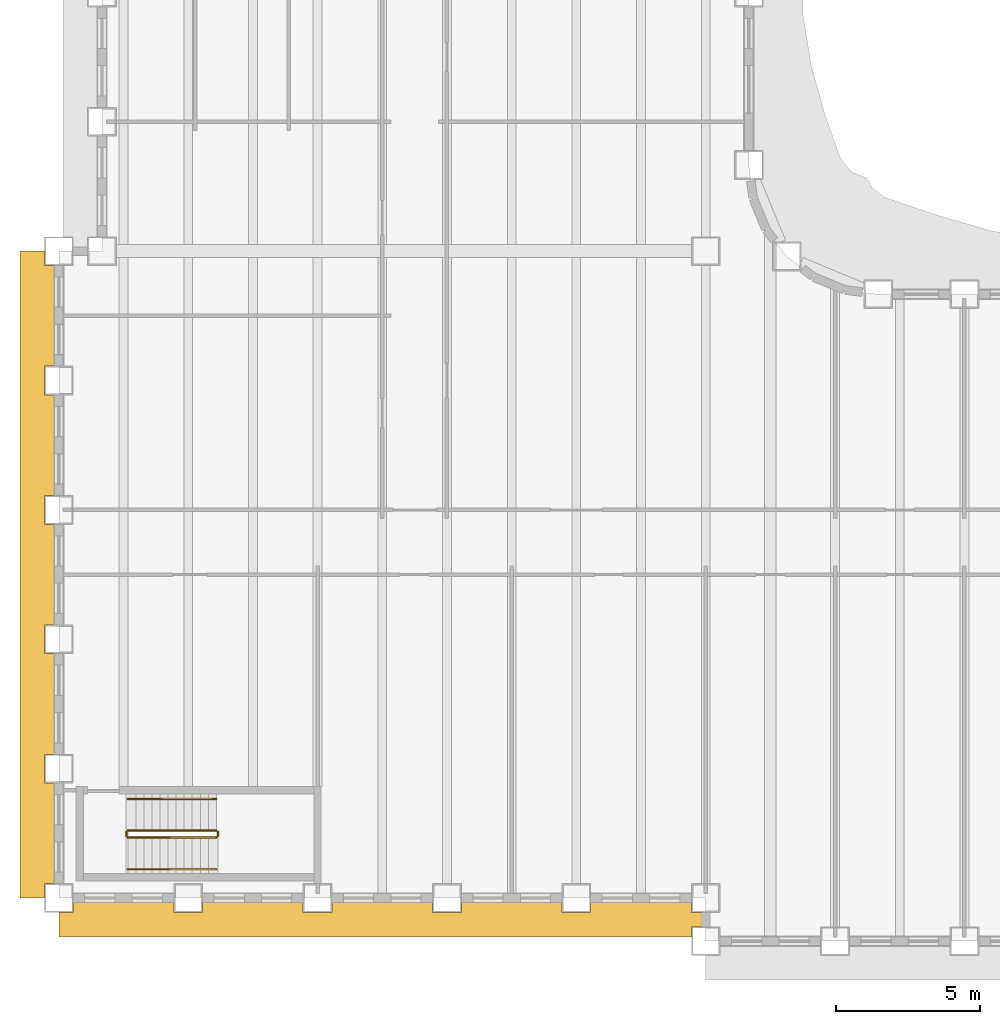
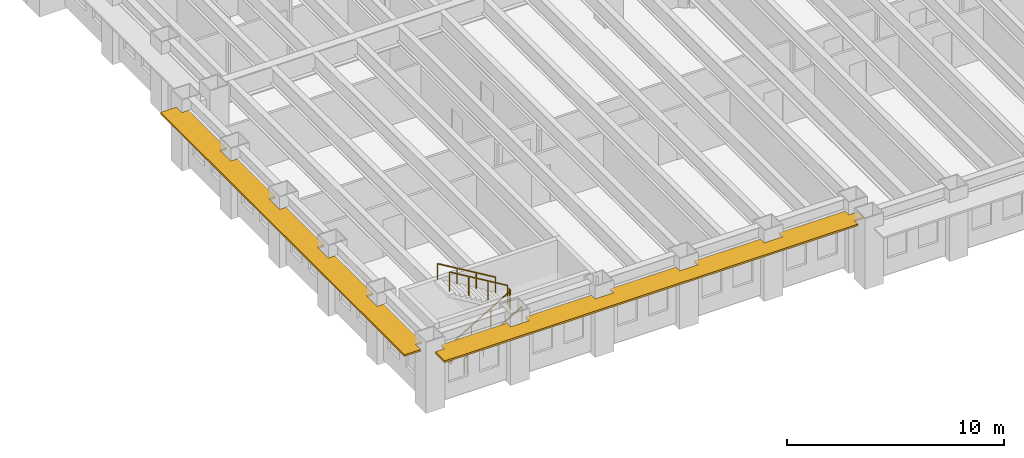
# One storey, part 11 of 16: 6 railings, 2 shading devices.
"""IFC4 building model written with IfcOpenShell, lengths in metres."""

from ifc_helpers import new_model, si_unit, direction, frame, origin, origin_2d, place, context, subcontext, project, spatial, polyline, rectangle, outline, extrude, material, layer, layer_set, type_object, element, save


model = new_model("IFC4")

# Units and contexts
model_context = context("Model", 3, precision=1e-05, world=origin(), true_north=direction((0.0, 1.0)))
body_context = subcontext(model_context, "Body", "Model", "MODEL_VIEW")
ifc_project = project(units=[si_unit("LENGTHUNIT", "METRE"), si_unit("AREAUNIT", "SQUARE_METRE"), si_unit("VOLUMEUNIT", "CUBIC_METRE"), si_unit("PLANEANGLEUNIT", "RADIAN"), si_unit("MASSUNIT", "GRAM", prefix="KILO")], contexts=[model_context])

# Site, building, storey
site_placement = place(None, origin())
site = spatial("IfcSite", under=ifc_project, at=site_placement, CompositionType="ELEMENT")
building_placement = place(site_placement, origin())
building = spatial("IfcBuilding", under=site, at=building_placement, Name="Sennacour Bend Tower", CompositionType="ELEMENT")
storey_placement = place(building_placement, frame((0.0, 0.0, 87.0)))
storey = spatial("IfcBuildingStorey", under=building, at=storey_placement, Name="L19", CompositionType="ELEMENT", Elevation=87.0)

# Railings
ifc_material_1 = material(Name="Stainless steel", Category="steel")
railing_type_1 = type_object("IfcRailingType", Name="RL-GUARD-1100", PredefinedType="GUARDRAIL", material=ifc_material_1)
railing_1_placement = place(storey_placement, frame((2.39990234375, 2.10009765625, 0.166748046875)))
element("IfcRailing", 1, at=railing_1_placement, inside=storey, type_object=railing_type_1, Name="L19 SK1 stair guard 1", PredefinedType="GUARDRAIL", context=body_context, shape_type="SweptSolid", body=[
    extrude(rectangle(XDim=0.048095703125, YDim=0.048095703125, at=origin_2d()), frame((0.0, 0.0, 1.076171875), z_axis=(0.859308565015, 0.0, 0.511457515432), x_axis=(0.0, 1.0, 0.0)), (0.0, 0.0, 1.0), 3.58447265625),
    extrude(rectangle(XDim=0.0419921875, YDim=0.0419921875, at=origin_2d()), origin(), (0.0, 0.0, 1.0), 1.052001953125),
    extrude(rectangle(XDim=0.0419921875, YDim=0.0419921875, at=origin_2d()), frame((1.026611328125, 0.0, 0.611083984375)), (0.0, 0.0, 1.0), 1.052001953125),
    extrude(rectangle(XDim=0.0419921875, YDim=0.0419921875, at=origin_2d()), frame((2.053466796875, 0.0, 1.22216796875)), (0.0, 0.0, 1.0), 1.052001953125),
    extrude(rectangle(XDim=0.0419921875, YDim=0.0419921875, at=origin_2d()), frame((3.080078125, 0.0, 1.833251953125)), (0.0, 0.0, 1.0), 1.052001953125),
])
railing_2_placement = place(storey_placement, frame((5.530029296875, 2.14990234375, 2.0)))
element("IfcRailing", 2, at=railing_2_placement, inside=storey, type_object=railing_type_1, Name="L19 SK1 stair guard 2", PredefinedType="GUARDRAIL", context=body_context, shape_type="SweptSolid", body=[
    extrude(rectangle(XDim=0.048095703125, YDim=0.048095703125, at=origin_2d()), frame((0.0, 0.0, 1.076171875), z_axis=(0.0, 1.0, 0.0), x_axis=(-1.0, 0.0, 0.0)), (0.0, 0.0, 1.0), 0.150146484375),
    extrude(rectangle(XDim=0.0419921875, YDim=0.0419921875, at=origin_2d()), origin(), (0.0, 0.0, 1.0), 1.052001953125),
    extrude(rectangle(XDim=0.0419921875, YDim=0.0419921875, at=origin_2d()), frame((0.0, 0.150146484375, 0.0)), (0.0, 0.0, 1.0), 1.052001953125),
])
railing_3_placement = place(storey_placement, frame((5.47998046875, 2.35009765625, 2.166748046875)))
element("IfcRailing", 3, at=railing_3_placement, inside=storey, type_object=railing_type_1, Name="L19 SK1 stair guard 3", PredefinedType="GUARDRAIL", context=body_context, shape_type="SweptSolid", body=[
    extrude(rectangle(XDim=0.048095703125, YDim=0.048095703125, at=origin_2d()), frame((0.0, 0.0, 1.076171875), z_axis=(-0.859308565015, 0.0, 0.511457515432), x_axis=(0.0, -1.0, 0.0)), (0.0, 0.0, 1.0), 3.58447265625),
    extrude(rectangle(XDim=0.0419921875, YDim=0.0419921875, at=origin_2d()), origin(), (0.0, 0.0, 1.0), 1.052001953125),
    extrude(rectangle(XDim=0.0419921875, YDim=0.0419921875, at=origin_2d()), frame((-1.026611328125, 0.0, 0.611083984375)), (0.0, 0.0, 1.0), 1.052001953125),
    extrude(rectangle(XDim=0.0419921875, YDim=0.0419921875, at=origin_2d()), frame((-2.053466796875, 0.0, 1.22216796875)), (0.0, 0.0, 1.0), 1.052001953125),
    extrude(rectangle(XDim=0.0419921875, YDim=0.0419921875, at=origin_2d()), frame((-3.080078125, 0.0, 1.833251953125)), (0.0, 0.0, 1.0), 1.052001953125),
])
railing_4_placement = place(storey_placement, frame((2.35009765625, 2.14990234375, 0.0)))
element("IfcRailing", 4, at=railing_4_placement, inside=storey, type_object=railing_type_1, Name="L19 SK1 stair guard 4", PredefinedType="GUARDRAIL", context=body_context, shape_type="SweptSolid", body=[
    extrude(rectangle(XDim=0.048095703125, YDim=0.048095703125, at=origin_2d()), frame((0.0, 0.0, 1.076171875), z_axis=(0.0, 1.0, 0.0), x_axis=(-1.0, 0.0, 0.0)), (0.0, 0.0, 1.0), 0.150146484375),
    extrude(rectangle(XDim=0.0419921875, YDim=0.0419921875, at=origin_2d()), origin(), (0.0, 0.0, 1.0), 1.052001953125),
    extrude(rectangle(XDim=0.0419921875, YDim=0.0419921875, at=origin_2d()), frame((0.0, 0.150146484375, 0.0)), (0.0, 0.0, 1.0), 1.052001953125),
])
railing_type_2 = type_object("IfcRailingType", Name="RL-HANDRAIL-900", PredefinedType="HANDRAIL", material=ifc_material_1)
railing_5_placement = place(storey_placement, frame((2.39990234375, 1.0, 0.166748046875)))
element("IfcRailing", 5, at=railing_5_placement, inside=storey, type_object=railing_type_2, Name="L19 SK1 stair handrail 1", PredefinedType="HANDRAIL", context=body_context, shape_type="SweptSolid", body=[
    extrude(rectangle(XDim=0.048095703125, YDim=0.048095703125, at=origin_2d()), frame((0.0, 0.0, 0.8759765625), z_axis=(0.859308565015, 0.0, 0.511457515432), x_axis=(0.0, 1.0, 0.0)), (0.0, 0.0, 1.0), 3.58447265625),
    extrude(rectangle(XDim=0.0419921875, YDim=0.0419921875, at=origin_2d()), origin(), (0.0, 0.0, 1.0), 0.851806640625),
    extrude(rectangle(XDim=0.0419921875, YDim=0.0419921875, at=origin_2d()), frame((1.026611328125, 0.0, 0.611083984375)), (0.0, 0.0, 1.0), 0.851806640625),
    extrude(rectangle(XDim=0.0419921875, YDim=0.0419921875, at=origin_2d()), frame((2.053466796875, 0.0, 1.22216796875)), (0.0, 0.0, 1.0), 0.851806640625),
    extrude(rectangle(XDim=0.0419921875, YDim=0.0419921875, at=origin_2d()), frame((3.080078125, 0.0, 1.833251953125)), (0.0, 0.0, 1.0), 0.851806640625),
])
railing_6_placement = place(storey_placement, frame((5.47998046875, 3.449951171875, 2.166748046875)))
element("IfcRailing", 6, at=railing_6_placement, inside=storey, type_object=railing_type_2, Name="L19 SK1 stair handrail 2", PredefinedType="HANDRAIL", context=body_context, shape_type="SweptSolid", body=[
    extrude(rectangle(XDim=0.048095703125, YDim=0.048095703125, at=origin_2d()), frame((0.0, 0.0, 0.8759765625), z_axis=(-0.859308565015, 0.0, 0.511457515432), x_axis=(0.0, -1.0, 0.0)), (0.0, 0.0, 1.0), 3.58447265625),
    extrude(rectangle(XDim=0.0419921875, YDim=0.0419921875, at=origin_2d()), origin(), (0.0, 0.0, 1.0), 0.851806640625),
    extrude(rectangle(XDim=0.0419921875, YDim=0.0419921875, at=origin_2d()), frame((-1.026611328125, 0.0, 0.611083984375)), (0.0, 0.0, 1.0), 0.851806640625),
    extrude(rectangle(XDim=0.0419921875, YDim=0.0419921875, at=origin_2d()), frame((-2.053466796875, 0.0, 1.22216796875)), (0.0, 0.0, 1.0), 0.851806640625),
    extrude(rectangle(XDim=0.0419921875, YDim=0.0419921875, at=origin_2d()), frame((-3.080078125, 0.0, 1.833251953125)), (0.0, 0.0, 1.0), 0.851806640625),
])

# Shading devices
ifc_material_2 = material(Name="Bronze anodised aluminium", Category="aluminium")
ifc_layer = layer(ifc_material_2, 0.10009765625, Name="Bronze anodised aluminium", Category="aluminium")
ifc_layer_set = layer_set([ifc_layer], Name="Bronze anodised aluminium")
shading_device_type = type_object("IfcShadingDeviceType", Name="SUNSHADE BAND STRAIGHT", PredefinedType="USERDEFINED", material=ifc_layer_set)
shading_device_1_placement = place(storey_placement, frame((0.0, 0.0, 3.053955078125)))
element("IfcShadingDevice", 7, at=shading_device_1_placement, inside=storey, type_object=shading_device_type, Name="Sunshade band L19 K outer face", ObjectType="SUNSHADE", PredefinedType="USERDEFINED", context=body_context, shape_type="SweptSolid", body=[
    extrude(outline(polyline([(-0.14990234375, 18.5), (-0.5, 18.5), (-0.5, 17.5), (-0.14990234375, 17.5), (-0.14990234375, 14.0), (-0.5, 14.0), (-0.5, 13.0), (-0.14990234375, 13.0), (-0.14990234375, 9.5), (-0.5, 9.5), (-0.5, 8.5), (-0.14990234375, 8.5), (-0.14990234375, 5.0), (-0.5, 5.0), (-0.5, 4.0), (-0.14990234375, 4.0), (-0.14990234375, 0.5), (-0.5, 0.5), (-0.5, 0.0), (-1.35009765625, 0.0), (-1.35009765625, 22.5), (-0.5, 22.5), (-0.5, 22.0), (-0.14990234375, 22.0), (-0.14990234375, 18.5)])), origin(), (0.0, 0.0, 1.0), 0.10009765625),
])
shading_device_2_placement = place(storey_placement, frame((0.0, 0.0, 3.053955078125)))
element("IfcShadingDevice", 8, at=shading_device_2_placement, inside=storey, type_object=shading_device_type, Name="Sunshade band L19 K outer face", ObjectType="SUNSHADE", PredefinedType="USERDEFINED", context=body_context, shape_type="SweptSolid", body=[
    extrude(outline(polyline([(4.0, -0.14990234375), (4.0, -0.5), (5.0, -0.5), (5.0, -0.14990234375), (8.5, -0.14990234375), (8.5, -0.5), (9.5, -0.5), (9.5, -0.14990234375), (13.0, -0.14990234375), (13.0, -0.5), (14.0, -0.5), (14.0, -0.14990234375), (17.5, -0.14990234375), (17.5, -0.5), (18.5, -0.5), (18.5, -0.14990234375), (22.0, -0.14990234375), (22.0, -0.5), (22.5, -0.5), (22.5, -1.0), (22.0, -1.0), (22.0, -1.35009765625), (0.0, -1.35009765625), (0.0, -0.5), (0.5, -0.5), (0.5, -0.14990234375), (4.0, -0.14990234375)])), origin(), (0.0, 0.0, 1.0), 0.10009765625),
])

save(model, "model.ifc")
